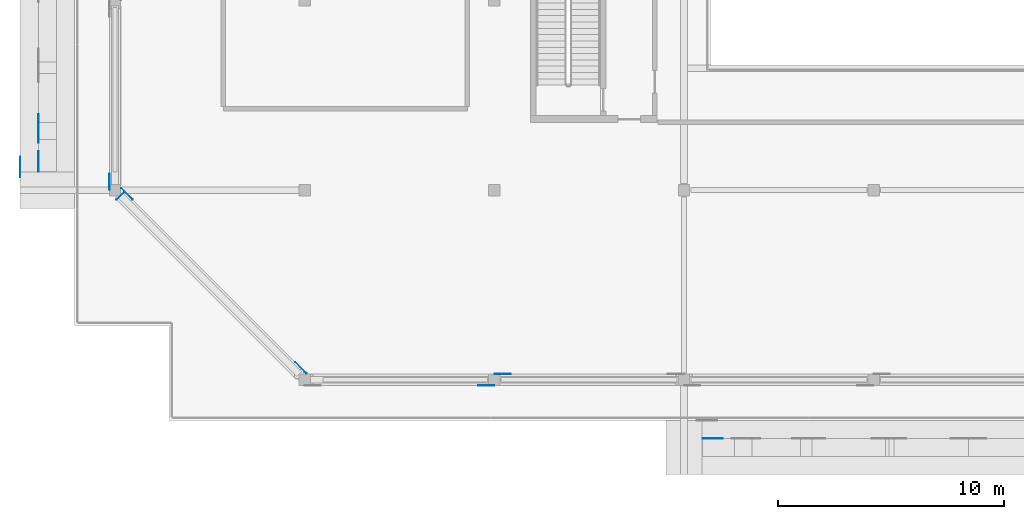
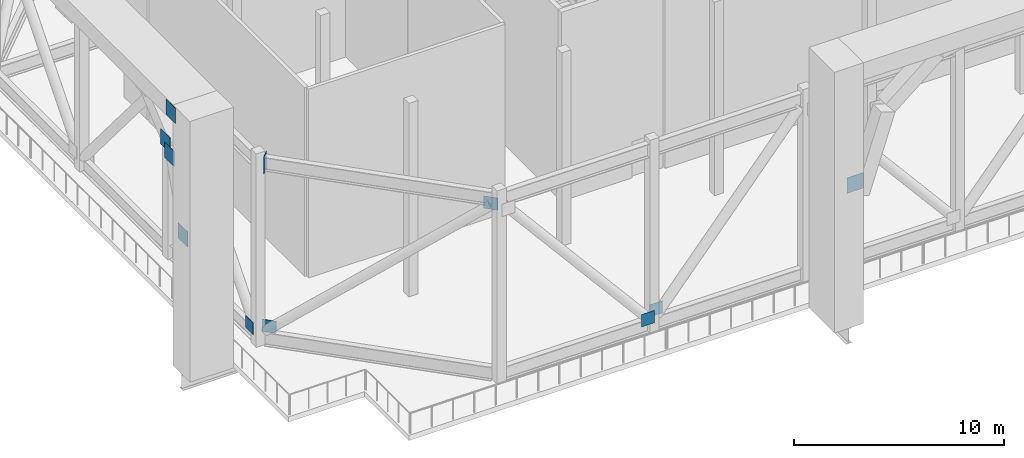
# One storey, part 10 of 20: 11 discrete accessories.
"""IFC4 building model written with IfcOpenShell, lengths in metres."""

from ifc_helpers import new_model, si_unit, direction, frame, origin, origin_2d, place, context, subcontext, project, spatial, rectangle, extrude, element, save


model = new_model("IFC4")

# Units and contexts
model_context = context("Model", 3, precision=1e-05, world=origin(), true_north=direction((0.0, 1.0)))
body_context = subcontext(model_context, "Body", "Model", "MODEL_VIEW")
ifc_project = project(units=[si_unit("LENGTHUNIT", "METRE"), si_unit("AREAUNIT", "SQUARE_METRE"), si_unit("VOLUMEUNIT", "CUBIC_METRE"), si_unit("PLANEANGLEUNIT", "RADIAN"), si_unit("MASSUNIT", "GRAM", prefix="KILO")], contexts=[model_context])

# Site, building, storey
site_placement = place(None, origin())
site = spatial("IfcSite", under=ifc_project, at=site_placement, CompositionType="ELEMENT")
building_placement = place(site_placement, origin())
building = spatial("IfcBuilding", under=site, at=building_placement, Name="Saffron Gate Tower", CompositionType="ELEMENT")
storey_placement = place(building_placement, frame((0.0, 0.0, 252.300048828125)))
storey = spatial("IfcBuildingStorey", under=building, at=storey_placement, Name="L62", CompositionType="ELEMENT", Elevation=252.300048828125)

# Discrete accessories
for number, where, z_axis, x_axis, name in (
    (1, (49.5458984375, 40.564697265625, 0.580322265625), (0.0, 0.0, 1.0), (0.0, 1.0, 0.0), "GUSSET PLATE"),
    (2, (66.2353515625, 31.5458984375, 0.580322265625), (0.0, 0.0, 1.0), (-1.0, 0.0, 0.0), "GUSSET PLATE"),
    (3, (66.964599609375, 32.053955078125, 0.580322265625), (0.0, 0.0, 1.0), (1.0, 0.0, 0.0), "GUSSET PLATE"),
    (4, (50.325927734375, 40.033203125, 0.558837890625), (0.0, 0.0, 1.0), (0.707106781187, -0.707106781187, 0.0), "GUSSET PLATE"),
    (5, (58.033203125, 32.325927734375, 9.7001953125), (0.0, 0.0, 1.0), (0.707106781187, -0.707106781187, 0.0), "GUSSET PLATE"),
):
    element("IfcDiscreteAccessory", number, at=place(storey_placement, frame(where, z_axis=z_axis, x_axis=x_axis)), inside=storey, Name=name, ObjectType="GUSSET PLATE", PredefinedType="USERDEFINED", context=body_context, shape_type="SweptSolid", body=[
        extrude(rectangle(XDim=0.7109375, YDim=0.02001953125, at=origin_2d()), origin(), (0.0, 0.0, 1.0), 0.7109375),
    ])
for number, where, z_axis, x_axis, name in (
    (6, (76.270263671875, 29.199951171875, 6.28125), (0.0, 0.0, 1.0), (1.0, 0.0, 0.0), "EMBEDDED PLATE"),
    (7, (46.39990234375, 41.47021484375, 6.28125), (0.0, 0.0, 1.0), (0.0, 1.0, 0.0), "EMBEDDED PLATE"),
    (8, (46.39990234375, 42.755126953125, 10.19677734375), (0.0, 0.0, 1.0), (0.0, 1.0, 0.0), "EMBEDDED PLATE"),
    (9, (46.39990234375, 43.124267578125, 10.737548828125), (0.0, 0.0, 1.0), (0.0, 1.0, 0.0), "EMBEDDED PLATE"),
    (10, (45.60009765625, 41.22509765625, 13.89990234375), (0.0, 0.0, 1.0), (0.0, 1.0, 0.0), "EMBEDDED PLATE"),
):
    element("IfcDiscreteAccessory", number, at=place(storey_placement, frame(where, z_axis=z_axis, x_axis=x_axis)), inside=storey, Name=name, ObjectType="EMBEDDED PLATE", PredefinedType="USERDEFINED", context=body_context, shape_type="SweptSolid", body=[
        extrude(rectangle(XDim=0.89990234375, YDim=0.02001953125, at=origin_2d()), origin(), (0.0, 0.0, 1.0), 0.89990234375),
    ])
discrete_accessory_placement = place(storey_placement, frame((50.04296875, 39.95703125, 10.070068359375), z_axis=(0.0, 0.0, 1.0), x_axis=(-0.707106781187, 0.707106781187, 0.0)))
element("IfcDiscreteAccessory", 11, at=discrete_accessory_placement, inside=storey, Name="BELT TRUSS END PLATE", ObjectType="BELT TRUSS END PLATE", PredefinedType="USERDEFINED", context=body_context, shape_type="SweptSolid", body=[
    extrude(rectangle(XDim=0.02001953125, YDim=0.5, at=origin_2d()), origin(), (0.0, 0.0, 1.0), 1.0),
])

save(model, "model.ifc")
